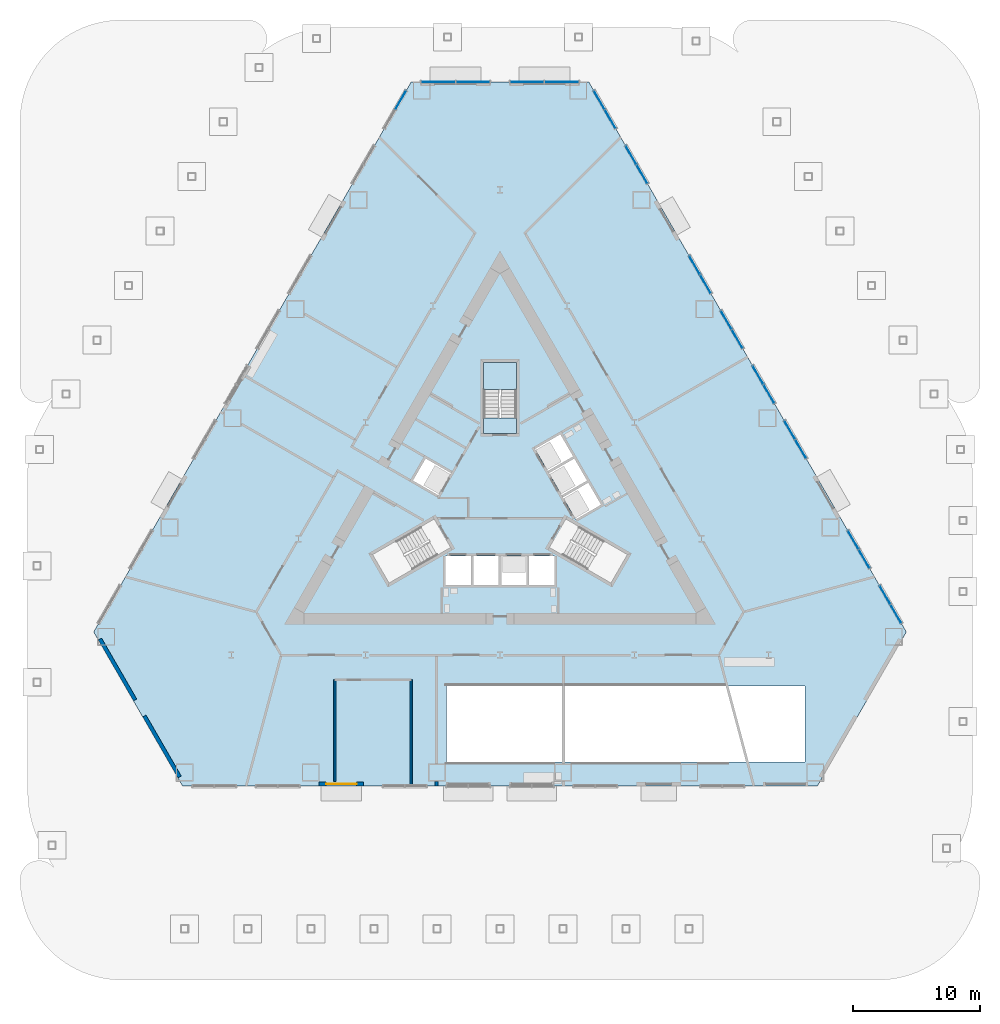
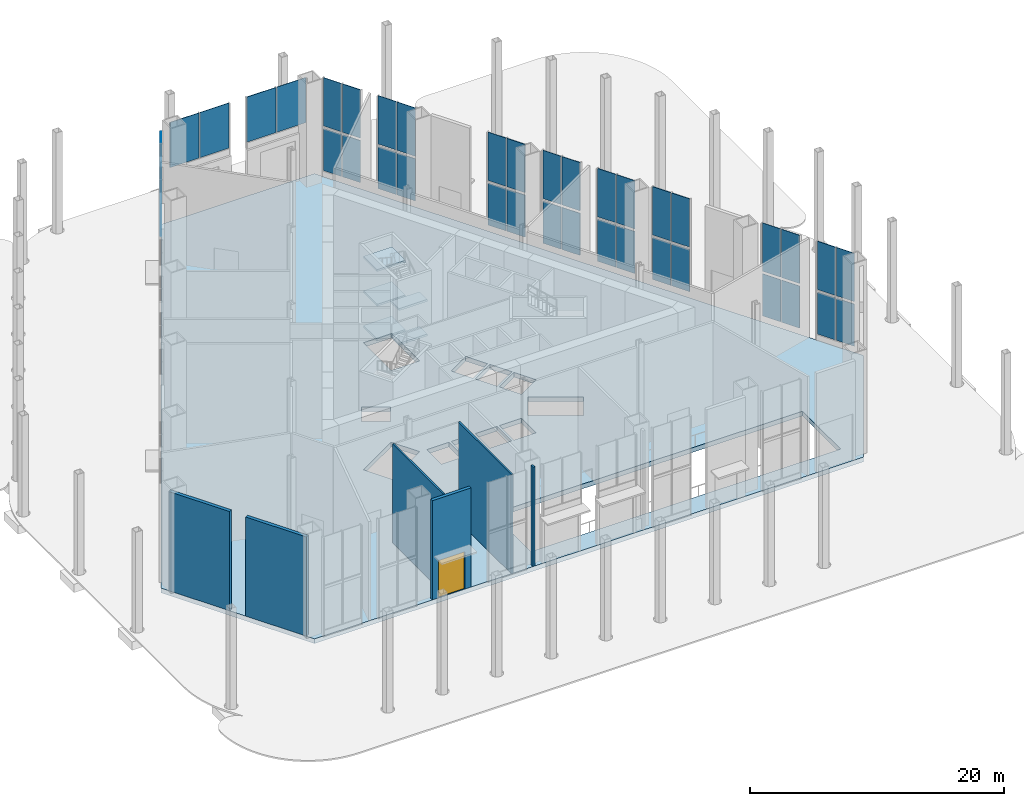
# One storey, part 9 of 18: 38 plates, 6 slabs, 6 walls, 1 door, 1 opening, 12 elements without a shape of their own.
"""IFC4 building model written with IfcOpenShell, lengths in metres."""

from ifc_helpers import new_model, si_unit, direction, frame, frame_2d, origin, origin_2d, place, context, subcontext, project, spatial, polyline, rectangle, outline, extrude, material, layer, layer_set, type_object, element, fill, aggregate, save


model = new_model("IFC4")

# Units and contexts
model_context = context("Model", 3, precision=1e-05, world=origin(), true_north=direction((0.0, 1.0)))
body_context = subcontext(model_context, "Body", "Model", "MODEL_VIEW")
ifc_project = project(units=[si_unit("LENGTHUNIT", "METRE"), si_unit("AREAUNIT", "SQUARE_METRE"), si_unit("VOLUMEUNIT", "CUBIC_METRE"), si_unit("PLANEANGLEUNIT", "RADIAN"), si_unit("MASSUNIT", "GRAM", prefix="KILO")], contexts=[model_context])

# Site, building, storey
site_placement = place(None, origin())
site = spatial("IfcSite", under=ifc_project, at=site_placement, CompositionType="ELEMENT")
building_placement = place(site_placement, origin())
building = spatial("IfcBuilding", under=site, at=building_placement, Name="Cormorant Prow Tower", CompositionType="ELEMENT")
storey_placement = place(building_placement, origin())
storey = spatial("IfcBuildingStorey", under=building, at=storey_placement, Name="L00", CompositionType="ELEMENT", Elevation=0.0)

# Curtain wall, plates
ifc_material_1 = material(Name="Aluminium 6063-T6", Category="aluminium")
ifc_layer_1 = layer(ifc_material_1, 0.300048828125)
ifc_layer_set_1 = layer_set([ifc_layer_1], Name="Aluminium 6063-T6")
curtain_wall_type = type_object("IfcCurtainWallType", Name="Concourse unitised curtain wall 300", PredefinedType="NOTDEFINED", material=ifc_layer_set_1)
curtain_wall_1_placement = place(storey_placement, origin())
curtain_wall_1 = element("IfcCurtainWall", 1, at=curtain_wall_1_placement, inside=storey, type_object=curtain_wall_type, Name="Concourse curtain wall ENE00", PredefinedType="NOTDEFINED")
ifc_material_2 = material(Name="Clear glass", Category="glass")
ifc_layer_2 = layer(ifc_material_2, 0.048095703125)
ifc_layer_set_2 = layer_set([ifc_layer_2], Name="Clear glass")
plate_type = type_object("IfcPlateType", Name="Concourse glass panel 48", PredefinedType="CURTAIN_PANEL", material=ifc_layer_set_2)
plate_1_placement = place(storey_placement, frame((31.1826171875, -8.976318359375, 0.60009765625), z_axis=(0.0, 0.0, 1.0), x_axis=(-0.500000001632, 0.866025402842, 0.0)))
plate_1 = element("IfcPlate", 2, at=plate_1_placement, type_object=plate_type, Name="Concourse glass panel ENE00", PredefinedType="CURTAIN_PANEL", context=body_context, shape_type="SweptSolid", body=[
    extrude(rectangle(XDim=1.64990234375, YDim=0.048095703125, at=origin_2d()), origin(), (0.0, 0.0, 1.0), 4.054931640625),
])
plate_2_placement = place(storey_placement, frame((30.3173828125, -7.47802734375, 0.60009765625), z_axis=(0.0, 0.0, 1.0), x_axis=(-0.500000001632, 0.866025402842, 0.0)))
plate_2 = element("IfcPlate", 3, at=plate_2_placement, type_object=plate_type, Name="Concourse glass panel ENE00", PredefinedType="CURTAIN_PANEL", context=body_context, shape_type="SweptSolid", body=[
    extrude(rectangle(XDim=1.64990234375, YDim=0.048095703125, at=origin_2d()), origin(), (0.0, 0.0, 1.0), 4.054931640625),
])
plate_3_placement = place(storey_placement, frame((31.1826171875, -8.976318359375, 4.89501953125), z_axis=(0.0, 0.0, 1.0), x_axis=(-0.500000001632, 0.866025402842, 0.0)))
plate_3 = element("IfcPlate", 4, at=plate_3_placement, type_object=plate_type, Name="Concourse glass panel ENE00", PredefinedType="CURTAIN_PANEL", context=body_context, shape_type="SweptSolid", body=[
    extrude(rectangle(XDim=1.64990234375, YDim=0.048095703125, at=origin_2d()), origin(), (0.0, 0.0, 1.0), 4.655029296875),
])
plate_4_placement = place(storey_placement, frame((30.3173828125, -7.47802734375, 4.89501953125), z_axis=(0.0, 0.0, 1.0), x_axis=(-0.500000001632, 0.866025402842, 0.0)))
plate_4 = element("IfcPlate", 5, at=plate_4_placement, type_object=plate_type, Name="Concourse glass panel ENE00", PredefinedType="CURTAIN_PANEL", context=body_context, shape_type="SweptSolid", body=[
    extrude(rectangle(XDim=1.64990234375, YDim=0.048095703125, at=origin_2d()), origin(), (0.0, 0.0, 1.0), 4.655029296875),
])
aggregate(curtain_wall_1, [plate_1, plate_2, plate_3, plate_4])

curtain_wall_2_placement = place(storey_placement, origin())
curtain_wall_2 = element("IfcCurtainWall", 6, at=curtain_wall_2_placement, inside=storey, type_object=curtain_wall_type, Name="Concourse curtain wall ENE01", PredefinedType="NOTDEFINED")
plate_5_placement = place(storey_placement, frame((28.6826171875, -4.646240234375, 0.60009765625), z_axis=(0.0, 0.0, 1.0), x_axis=(-0.500000001632, 0.866025402842, 0.0)))
plate_5 = element("IfcPlate", 7, at=plate_5_placement, type_object=plate_type, Name="Concourse glass panel ENE01", PredefinedType="CURTAIN_PANEL", context=body_context, shape_type="SweptSolid", body=[
    extrude(rectangle(XDim=1.64990234375, YDim=0.048095703125, at=origin_2d()), origin(), (0.0, 0.0, 1.0), 4.054931640625),
])
plate_6_placement = place(storey_placement, frame((27.8173828125, -3.14794921875, 0.60009765625), z_axis=(0.0, 0.0, 1.0), x_axis=(-0.500000001632, 0.866025402842, 0.0)))
plate_6 = element("IfcPlate", 8, at=plate_6_placement, type_object=plate_type, Name="Concourse glass panel ENE01", PredefinedType="CURTAIN_PANEL", context=body_context, shape_type="SweptSolid", body=[
    extrude(rectangle(XDim=1.64990234375, YDim=0.048095703125, at=origin_2d()), origin(), (0.0, 0.0, 1.0), 4.054931640625),
])
plate_7_placement = place(storey_placement, frame((28.6826171875, -4.646240234375, 4.89501953125), z_axis=(0.0, 0.0, 1.0), x_axis=(-0.500000001632, 0.866025402842, 0.0)))
plate_7 = element("IfcPlate", 9, at=plate_7_placement, type_object=plate_type, Name="Concourse glass panel ENE01", PredefinedType="CURTAIN_PANEL", context=body_context, shape_type="SweptSolid", body=[
    extrude(rectangle(XDim=1.64990234375, YDim=0.048095703125, at=origin_2d()), origin(), (0.0, 0.0, 1.0), 4.655029296875),
])
plate_8_placement = place(storey_placement, frame((27.8173828125, -3.14794921875, 4.89501953125), z_axis=(0.0, 0.0, 1.0), x_axis=(-0.500000001632, 0.866025402842, 0.0)))
plate_8 = element("IfcPlate", 10, at=plate_8_placement, type_object=plate_type, Name="Concourse glass panel ENE01", PredefinedType="CURTAIN_PANEL", context=body_context, shape_type="SweptSolid", body=[
    extrude(rectangle(XDim=1.64990234375, YDim=0.048095703125, at=origin_2d()), origin(), (0.0, 0.0, 1.0), 4.655029296875),
])
aggregate(curtain_wall_2, [plate_5, plate_6, plate_7, plate_8])

curtain_wall_3_placement = place(storey_placement, origin())
curtain_wall_3 = element("IfcCurtainWall", 11, at=curtain_wall_3_placement, inside=storey, type_object=curtain_wall_type, Name="Concourse curtain wall ENE03", PredefinedType="NOTDEFINED")
plate_9_placement = place(storey_placement, frame((23.6826171875, 4.013916015625, 0.60009765625), z_axis=(0.0, 0.0, 1.0), x_axis=(-0.500000001632, 0.866025402842, 0.0)))
plate_9 = element("IfcPlate", 12, at=plate_9_placement, type_object=plate_type, Name="Concourse glass panel ENE03", PredefinedType="CURTAIN_PANEL", context=body_context, shape_type="SweptSolid", body=[
    extrude(rectangle(XDim=1.64990234375, YDim=0.048095703125, at=origin_2d()), origin(), (0.0, 0.0, 1.0), 4.054931640625),
])
plate_10_placement = place(storey_placement, frame((22.8173828125, 5.51220703125, 0.60009765625), z_axis=(0.0, 0.0, 1.0), x_axis=(-0.500000001632, 0.866025402842, 0.0)))
plate_10 = element("IfcPlate", 13, at=plate_10_placement, type_object=plate_type, Name="Concourse glass panel ENE03", PredefinedType="CURTAIN_PANEL", context=body_context, shape_type="SweptSolid", body=[
    extrude(rectangle(XDim=1.64990234375, YDim=0.048095703125, at=origin_2d()), origin(), (0.0, 0.0, 1.0), 4.054931640625),
])
plate_11_placement = place(storey_placement, frame((23.6826171875, 4.013916015625, 4.89501953125), z_axis=(0.0, 0.0, 1.0), x_axis=(-0.500000001632, 0.866025402842, 0.0)))
plate_11 = element("IfcPlate", 14, at=plate_11_placement, type_object=plate_type, Name="Concourse glass panel ENE03", PredefinedType="CURTAIN_PANEL", context=body_context, shape_type="SweptSolid", body=[
    extrude(rectangle(XDim=1.64990234375, YDim=0.048095703125, at=origin_2d()), origin(), (0.0, 0.0, 1.0), 4.655029296875),
])
plate_12_placement = place(storey_placement, frame((22.8173828125, 5.51220703125, 4.89501953125), z_axis=(0.0, 0.0, 1.0), x_axis=(-0.500000001632, 0.866025402842, 0.0)))
plate_12 = element("IfcPlate", 15, at=plate_12_placement, type_object=plate_type, Name="Concourse glass panel ENE03", PredefinedType="CURTAIN_PANEL", context=body_context, shape_type="SweptSolid", body=[
    extrude(rectangle(XDim=1.64990234375, YDim=0.048095703125, at=origin_2d()), origin(), (0.0, 0.0, 1.0), 4.655029296875),
])
aggregate(curtain_wall_3, [plate_9, plate_10, plate_11, plate_12])

curtain_wall_4_placement = place(storey_placement, origin())
curtain_wall_4 = element("IfcCurtainWall", 16, at=curtain_wall_4_placement, inside=storey, type_object=curtain_wall_type, Name="Concourse curtain wall ENE04", PredefinedType="NOTDEFINED")
plate_13_placement = place(storey_placement, frame((21.1826171875, 8.34423828125, 0.60009765625), z_axis=(0.0, 0.0, 1.0), x_axis=(-0.500000001632, 0.866025402842, 0.0)))
plate_13 = element("IfcPlate", 17, at=plate_13_placement, type_object=plate_type, Name="Concourse glass panel ENE04", PredefinedType="CURTAIN_PANEL", context=body_context, shape_type="SweptSolid", body=[
    extrude(rectangle(XDim=1.64990234375, YDim=0.048095703125, at=origin_2d()), origin(), (0.0, 0.0, 1.0), 4.054931640625),
])
plate_14_placement = place(storey_placement, frame((20.3173828125, 9.84228515625, 0.60009765625), z_axis=(0.0, 0.0, 1.0), x_axis=(-0.500000001632, 0.866025402842, 0.0)))
plate_14 = element("IfcPlate", 18, at=plate_14_placement, type_object=plate_type, Name="Concourse glass panel ENE04", PredefinedType="CURTAIN_PANEL", context=body_context, shape_type="SweptSolid", body=[
    extrude(rectangle(XDim=1.64990234375, YDim=0.048095703125, at=origin_2d()), origin(), (0.0, 0.0, 1.0), 4.054931640625),
])
plate_15_placement = place(storey_placement, frame((21.1826171875, 8.34423828125, 4.89501953125), z_axis=(0.0, 0.0, 1.0), x_axis=(-0.500000001632, 0.866025402842, 0.0)))
plate_15 = element("IfcPlate", 19, at=plate_15_placement, type_object=plate_type, Name="Concourse glass panel ENE04", PredefinedType="CURTAIN_PANEL", context=body_context, shape_type="SweptSolid", body=[
    extrude(rectangle(XDim=1.64990234375, YDim=0.048095703125, at=origin_2d()), origin(), (0.0, 0.0, 1.0), 4.655029296875),
])
plate_16_placement = place(storey_placement, frame((20.3173828125, 9.84228515625, 4.89501953125), z_axis=(0.0, 0.0, 1.0), x_axis=(-0.500000001632, 0.866025402842, 0.0)))
plate_16 = element("IfcPlate", 20, at=plate_16_placement, type_object=plate_type, Name="Concourse glass panel ENE04", PredefinedType="CURTAIN_PANEL", context=body_context, shape_type="SweptSolid", body=[
    extrude(rectangle(XDim=1.64990234375, YDim=0.048095703125, at=origin_2d()), origin(), (0.0, 0.0, 1.0), 4.655029296875),
])
aggregate(curtain_wall_4, [plate_13, plate_14, plate_15, plate_16])

curtain_wall_5_placement = place(storey_placement, origin())
curtain_wall_5 = element("IfcCurtainWall", 21, at=curtain_wall_5_placement, inside=storey, type_object=curtain_wall_type, Name="Concourse curtain wall ENE05", PredefinedType="NOTDEFINED")
plate_17_placement = place(storey_placement, frame((18.6826171875, 12.67431640625, 0.60009765625), z_axis=(0.0, 0.0, 1.0), x_axis=(-0.500000001632, 0.866025402842, 0.0)))
plate_17 = element("IfcPlate", 22, at=plate_17_placement, type_object=plate_type, Name="Concourse glass panel ENE05", PredefinedType="CURTAIN_PANEL", context=body_context, shape_type="SweptSolid", body=[
    extrude(rectangle(XDim=1.64990234375, YDim=0.048095703125, at=origin_2d()), origin(), (0.0, 0.0, 1.0), 4.054931640625),
])
plate_18_placement = place(storey_placement, frame((17.8173828125, 14.172607421875, 0.60009765625), z_axis=(0.0, 0.0, 1.0), x_axis=(-0.500000001632, 0.866025402842, 0.0)))
plate_18 = element("IfcPlate", 23, at=plate_18_placement, type_object=plate_type, Name="Concourse glass panel ENE05", PredefinedType="CURTAIN_PANEL", context=body_context, shape_type="SweptSolid", body=[
    extrude(rectangle(XDim=1.64990234375, YDim=0.048095703125, at=origin_2d()), origin(), (0.0, 0.0, 1.0), 4.054931640625),
])
plate_19_placement = place(storey_placement, frame((18.6826171875, 12.67431640625, 4.89501953125), z_axis=(0.0, 0.0, 1.0), x_axis=(-0.500000001632, 0.866025402842, 0.0)))
plate_19 = element("IfcPlate", 24, at=plate_19_placement, type_object=plate_type, Name="Concourse glass panel ENE05", PredefinedType="CURTAIN_PANEL", context=body_context, shape_type="SweptSolid", body=[
    extrude(rectangle(XDim=1.64990234375, YDim=0.048095703125, at=origin_2d()), origin(), (0.0, 0.0, 1.0), 4.655029296875),
])
plate_20_placement = place(storey_placement, frame((17.8173828125, 14.172607421875, 4.89501953125), z_axis=(0.0, 0.0, 1.0), x_axis=(-0.500000001632, 0.866025402842, 0.0)))
plate_20 = element("IfcPlate", 25, at=plate_20_placement, type_object=plate_type, Name="Concourse glass panel ENE05", PredefinedType="CURTAIN_PANEL", context=body_context, shape_type="SweptSolid", body=[
    extrude(rectangle(XDim=1.64990234375, YDim=0.048095703125, at=origin_2d()), origin(), (0.0, 0.0, 1.0), 4.655029296875),
])
aggregate(curtain_wall_5, [plate_17, plate_18, plate_19, plate_20])

curtain_wall_6_placement = place(storey_placement, origin())
curtain_wall_6 = element("IfcCurtainWall", 26, at=curtain_wall_6_placement, inside=storey, type_object=curtain_wall_type, Name="Concourse curtain wall ENE06", PredefinedType="NOTDEFINED")
plate_21_placement = place(storey_placement, frame((16.1826171875, 17.00439453125, 0.60009765625), z_axis=(0.0, 0.0, 1.0), x_axis=(-0.500000001632, 0.866025402842, 0.0)))
plate_21 = element("IfcPlate", 27, at=plate_21_placement, type_object=plate_type, Name="Concourse glass panel ENE06", PredefinedType="CURTAIN_PANEL", context=body_context, shape_type="SweptSolid", body=[
    extrude(rectangle(XDim=1.64990234375, YDim=0.048095703125, at=origin_2d()), origin(), (0.0, 0.0, 1.0), 4.054931640625),
])
plate_22_placement = place(storey_placement, frame((15.3173828125, 18.502685546875, 0.60009765625), z_axis=(0.0, 0.0, 1.0), x_axis=(-0.500000001632, 0.866025402842, 0.0)))
plate_22 = element("IfcPlate", 28, at=plate_22_placement, type_object=plate_type, Name="Concourse glass panel ENE06", PredefinedType="CURTAIN_PANEL", context=body_context, shape_type="SweptSolid", body=[
    extrude(rectangle(XDim=1.64990234375, YDim=0.048095703125, at=origin_2d()), origin(), (0.0, 0.0, 1.0), 4.054931640625),
])
plate_23_placement = place(storey_placement, frame((16.1826171875, 17.00439453125, 4.89501953125), z_axis=(0.0, 0.0, 1.0), x_axis=(-0.500000001632, 0.866025402842, 0.0)))
plate_23 = element("IfcPlate", 29, at=plate_23_placement, type_object=plate_type, Name="Concourse glass panel ENE06", PredefinedType="CURTAIN_PANEL", context=body_context, shape_type="SweptSolid", body=[
    extrude(rectangle(XDim=1.64990234375, YDim=0.048095703125, at=origin_2d()), origin(), (0.0, 0.0, 1.0), 4.655029296875),
])
plate_24_placement = place(storey_placement, frame((15.3173828125, 18.502685546875, 4.89501953125), z_axis=(0.0, 0.0, 1.0), x_axis=(-0.500000001632, 0.866025402842, 0.0)))
plate_24 = element("IfcPlate", 30, at=plate_24_placement, type_object=plate_type, Name="Concourse glass panel ENE06", PredefinedType="CURTAIN_PANEL", context=body_context, shape_type="SweptSolid", body=[
    extrude(rectangle(XDim=1.64990234375, YDim=0.048095703125, at=origin_2d()), origin(), (0.0, 0.0, 1.0), 4.655029296875),
])
aggregate(curtain_wall_6, [plate_21, plate_22, plate_23, plate_24])

curtain_wall_7_placement = place(storey_placement, origin())
curtain_wall_7 = element("IfcCurtainWall", 31, at=curtain_wall_7_placement, inside=storey, type_object=curtain_wall_type, Name="Concourse curtain wall ENE08", PredefinedType="NOTDEFINED")
plate_25_placement = place(storey_placement, frame((11.1826171875, 25.66455078125, 0.60009765625), z_axis=(0.0, 0.0, 1.0), x_axis=(-0.500000001632, 0.866025402842, 0.0)))
plate_25 = element("IfcPlate", 32, at=plate_25_placement, type_object=plate_type, Name="Concourse glass panel ENE08", PredefinedType="CURTAIN_PANEL", context=body_context, shape_type="SweptSolid", body=[
    extrude(rectangle(XDim=1.64990234375, YDim=0.048095703125, at=origin_2d()), origin(), (0.0, 0.0, 1.0), 4.054931640625),
])
plate_26_placement = place(storey_placement, frame((10.3173828125, 27.162841796875, 0.60009765625), z_axis=(0.0, 0.0, 1.0), x_axis=(-0.500000001632, 0.866025402842, 0.0)))
plate_26 = element("IfcPlate", 33, at=plate_26_placement, type_object=plate_type, Name="Concourse glass panel ENE08", PredefinedType="CURTAIN_PANEL", context=body_context, shape_type="SweptSolid", body=[
    extrude(rectangle(XDim=1.64990234375, YDim=0.048095703125, at=origin_2d()), origin(), (0.0, 0.0, 1.0), 4.054931640625),
])
plate_27_placement = place(storey_placement, frame((11.1826171875, 25.66455078125, 4.89501953125), z_axis=(0.0, 0.0, 1.0), x_axis=(-0.500000001632, 0.866025402842, 0.0)))
plate_27 = element("IfcPlate", 34, at=plate_27_placement, type_object=plate_type, Name="Concourse glass panel ENE08", PredefinedType="CURTAIN_PANEL", context=body_context, shape_type="SweptSolid", body=[
    extrude(rectangle(XDim=1.64990234375, YDim=0.048095703125, at=origin_2d()), origin(), (0.0, 0.0, 1.0), 4.655029296875),
])
plate_28_placement = place(storey_placement, frame((10.3173828125, 27.162841796875, 4.89501953125), z_axis=(0.0, 0.0, 1.0), x_axis=(-0.500000001632, 0.866025402842, 0.0)))
plate_28 = element("IfcPlate", 35, at=plate_28_placement, type_object=plate_type, Name="Concourse glass panel ENE08", PredefinedType="CURTAIN_PANEL", context=body_context, shape_type="SweptSolid", body=[
    extrude(rectangle(XDim=1.64990234375, YDim=0.048095703125, at=origin_2d()), origin(), (0.0, 0.0, 1.0), 4.655029296875),
])
aggregate(curtain_wall_7, [plate_25, plate_26, plate_27, plate_28])

curtain_wall_8_placement = place(storey_placement, origin())
curtain_wall_8 = element("IfcCurtainWall", 36, at=curtain_wall_8_placement, inside=storey, type_object=curtain_wall_type, Name="Concourse curtain wall ENE09", PredefinedType="NOTDEFINED")
plate_29_placement = place(storey_placement, frame((8.6826171875, 29.994873046875, 0.60009765625), z_axis=(0.0, 0.0, 1.0), x_axis=(-0.500000001632, 0.866025402842, 0.0)))
plate_29 = element("IfcPlate", 37, at=plate_29_placement, type_object=plate_type, Name="Concourse glass panel ENE09", PredefinedType="CURTAIN_PANEL", context=body_context, shape_type="SweptSolid", body=[
    extrude(rectangle(XDim=1.64990234375, YDim=0.048095703125, at=origin_2d()), origin(), (0.0, 0.0, 1.0), 4.054931640625),
])
plate_30_placement = place(storey_placement, frame((7.8173828125, 31.492919921875, 0.60009765625), z_axis=(0.0, 0.0, 1.0), x_axis=(-0.500000001632, 0.866025402842, 0.0)))
plate_30 = element("IfcPlate", 38, at=plate_30_placement, type_object=plate_type, Name="Concourse glass panel ENE09", PredefinedType="CURTAIN_PANEL", context=body_context, shape_type="SweptSolid", body=[
    extrude(rectangle(XDim=1.64990234375, YDim=0.048095703125, at=origin_2d()), origin(), (0.0, 0.0, 1.0), 4.054931640625),
])
plate_31_placement = place(storey_placement, frame((8.6826171875, 29.994873046875, 4.89501953125), z_axis=(0.0, 0.0, 1.0), x_axis=(-0.500000001632, 0.866025402842, 0.0)))
plate_31 = element("IfcPlate", 39, at=plate_31_placement, type_object=plate_type, Name="Concourse glass panel ENE09", PredefinedType="CURTAIN_PANEL", context=body_context, shape_type="SweptSolid", body=[
    extrude(rectangle(XDim=1.64990234375, YDim=0.048095703125, at=origin_2d()), origin(), (0.0, 0.0, 1.0), 4.655029296875),
])
plate_32_placement = place(storey_placement, frame((7.8173828125, 31.492919921875, 4.89501953125), z_axis=(0.0, 0.0, 1.0), x_axis=(-0.500000001632, 0.866025402842, 0.0)))
plate_32 = element("IfcPlate", 40, at=plate_32_placement, type_object=plate_type, Name="Concourse glass panel ENE09", PredefinedType="CURTAIN_PANEL", context=body_context, shape_type="SweptSolid", body=[
    extrude(rectangle(XDim=1.64990234375, YDim=0.048095703125, at=origin_2d()), origin(), (0.0, 0.0, 1.0), 4.655029296875),
])
aggregate(curtain_wall_8, [plate_29, plate_30, plate_31, plate_32])

curtain_wall_9_placement = place(storey_placement, origin())
curtain_wall_9 = element("IfcCurtainWall", 41, at=curtain_wall_9_placement, inside=storey, type_object=curtain_wall_type, Name="Concourse curtain wall N00", PredefinedType="NOTDEFINED")
plate_33_placement = place(storey_placement, frame((4.864990234375, 32.908935546875, 5.199951171875), z_axis=(0.0, 0.0, 1.0), x_axis=(-1.0, 0.0, 0.0)))
plate_33 = element("IfcPlate", 42, at=plate_33_placement, type_object=plate_type, Name="Concourse glass panel N00", PredefinedType="CURTAIN_PANEL", context=body_context, shape_type="SweptSolid", body=[
    extrude(rectangle(XDim=2.64990234375, YDim=0.048095703125, at=origin_2d()), origin(), (0.0, 0.0, 1.0), 4.35009765625),
])
plate_34_placement = place(storey_placement, frame((2.135009765625, 32.908935546875, 5.199951171875), z_axis=(0.0, 0.0, 1.0), x_axis=(-1.0, 0.0, 0.0)))
plate_34 = element("IfcPlate", 43, at=plate_34_placement, type_object=plate_type, Name="Concourse glass panel N00", PredefinedType="CURTAIN_PANEL", context=body_context, shape_type="SweptSolid", body=[
    extrude(rectangle(XDim=2.64990234375, YDim=0.048095703125, at=origin_2d()), origin(), (0.0, 0.0, 1.0), 4.35009765625),
])
aggregate(curtain_wall_9, [plate_33, plate_34])

curtain_wall_10_placement = place(storey_placement, origin())
curtain_wall_10 = element("IfcCurtainWall", 44, at=curtain_wall_10_placement, inside=storey, type_object=curtain_wall_type, Name="Concourse curtain wall N01", PredefinedType="NOTDEFINED")
plate_35_placement = place(storey_placement, frame((-2.135009765625, 32.908935546875, 5.199951171875), z_axis=(0.0, 0.0, 1.0), x_axis=(-1.0, 0.0, 0.0)))
plate_35 = element("IfcPlate", 45, at=plate_35_placement, type_object=plate_type, Name="Concourse glass panel N01", PredefinedType="CURTAIN_PANEL", context=body_context, shape_type="SweptSolid", body=[
    extrude(rectangle(XDim=2.64990234375, YDim=0.048095703125, at=origin_2d()), origin(), (0.0, 0.0, 1.0), 4.35009765625),
])
plate_36_placement = place(storey_placement, frame((-4.864990234375, 32.908935546875, 5.199951171875), z_axis=(0.0, 0.0, 1.0), x_axis=(-1.0, 0.0, 0.0)))
plate_36 = element("IfcPlate", 46, at=plate_36_placement, type_object=plate_type, Name="Concourse glass panel N01", PredefinedType="CURTAIN_PANEL", context=body_context, shape_type="SweptSolid", body=[
    extrude(rectangle(XDim=2.64990234375, YDim=0.048095703125, at=origin_2d()), origin(), (0.0, 0.0, 1.0), 4.35009765625),
])
aggregate(curtain_wall_10, [plate_35, plate_36])

curtain_wall_11_placement = place(storey_placement, origin())
curtain_wall_11 = element("IfcCurtainWall", 47, at=curtain_wall_11_placement, inside=storey, type_object=curtain_wall_type, Name="Concourse curtain wall WNW00", PredefinedType="NOTDEFINED")
plate_37_placement = place(storey_placement, frame((-7.8173828125, 31.492919921875, 0.60009765625), z_axis=(0.0, 0.0, 1.0), x_axis=(-0.500000001632, -0.866025402842, 0.0)))
plate_37 = element("IfcPlate", 48, at=plate_37_placement, type_object=plate_type, Name="Concourse glass panel WNW00", PredefinedType="CURTAIN_PANEL", context=body_context, shape_type="SweptSolid", body=[
    extrude(rectangle(XDim=1.64990234375, YDim=0.048095703125, at=origin_2d()), origin(), (0.0, 0.0, 1.0), 4.054931640625),
])
plate_38_placement = place(storey_placement, frame((-7.8173828125, 31.492919921875, 4.89501953125), z_axis=(0.0, 0.0, 1.0), x_axis=(-0.500000001632, -0.866025402842, 0.0)))
plate_38 = element("IfcPlate", 49, at=plate_38_placement, type_object=plate_type, Name="Concourse glass panel WNW00", PredefinedType="CURTAIN_PANEL", context=body_context, shape_type="SweptSolid", body=[
    extrude(rectangle(XDim=1.64990234375, YDim=0.048095703125, at=origin_2d()), origin(), (0.0, 0.0, 1.0), 4.655029296875),
])
aggregate(curtain_wall_11, [plate_37, plate_38])

# Slab
ifc_material_3 = material(Name="Concrete C40/50", Category="concrete")
ifc_layer_3 = layer(ifc_material_3, 0.449951171875)
ifc_layer_set_3 = layer_set([ifc_layer_3], Name="Concrete C40/50")
slab_type_1 = type_object("IfcSlabType", Name="Post-tensioned flat slab 450", PredefinedType="FLOOR", material=ifc_layer_set_3)
slab_1_placement = place(storey_placement, frame((0.0, 0.0, -0.449951171875)))
element("IfcSlab", 50, at=slab_1_placement, inside=storey, type_object=slab_type_1, Name="Floor slab L00", PredefinedType="FLOOR", context=body_context, shape_type="SweptSolid", body=[
    extrude(outline(polyline([(-7.0, 32.908935546875), (-9.5, 28.578857421875), (-12.0, 24.248779296875), (-14.5, 19.918701171875), (-17.0, 15.58837890625), (-19.5, 11.25830078125), (-22.0, 6.92822265625), (-24.5, 2.59814453125), (-27.0, -1.73193359375), (-29.5, -6.062255859375), (-32.0, -10.392333984375), (-28.5, -16.45458984375), (-25.0, -22.5166015625), (-20.0, -22.5166015625), (-15.0, -22.5166015625), (-10.0, -22.5166015625), (-5.0, -22.5166015625), (0.0, -22.5166015625), (5.0, -22.5166015625), (10.0, -22.5166015625), (15.0, -22.5166015625), (20.0, -22.5166015625), (25.0, -22.5166015625), (28.5, -16.45458984375), (32.0, -10.392333984375), (29.5, -6.062255859375), (27.0, -1.73193359375), (24.5, 2.59814453125), (22.0, 6.92822265625), (19.5, 11.25830078125), (17.0, 15.58837890625), (14.5, 19.918701171875), (12.0, 24.248779296875), (9.5, 28.578857421875), (7.0, 32.908935546875), (0.0, 32.908935546875), (-7.0, 32.908935546875)]), holes=[polyline([(-2.300048828125, -6.699951171875), (-4.300048828125, -6.699951171875), (-4.300048828125, -4.39990234375), (-2.300048828125, -4.39990234375), (-2.300048828125, -6.699951171875)]), polyline([(-2.10009765625, -6.699951171875), (-2.10009765625, -4.39990234375), (-0.10009765625, -4.39990234375), (-0.10009765625, -6.699951171875), (-2.10009765625, -6.699951171875)]), polyline([(0.10009765625, -4.39990234375), (2.10009765625, -4.39990234375), (2.10009765625, -6.699951171875), (0.10009765625, -6.699951171875), (0.10009765625, -4.39990234375)]), polyline([(4.300048828125, -4.39990234375), (4.300048828125, -6.699951171875), (2.300048828125, -6.699951171875), (2.300048828125, -4.39990234375), (4.300048828125, -4.39990234375)]), polyline([(6.952392578125, 1.358154296875), (7.952392578125, -0.373779296875), (5.96044921875, -1.52392578125), (4.96044921875, 0.2080078125), (6.952392578125, 1.358154296875)]), polyline([(6.852294921875, 1.53125), (4.860595703125, 0.38134765625), (3.860595703125, 2.11328125), (5.852294921875, 3.263427734375), (6.852294921875, 1.53125)]), polyline([(3.760498046875, 2.28662109375), (2.760498046875, 4.018798828125), (4.75244140625, 5.168701171875), (5.75244140625, 3.4365234375), (3.760498046875, 2.28662109375)]), polyline([(-4.860595703125, 0.38134765625), (-6.852294921875, 1.53125), (-5.852294921875, 3.263427734375), (-3.860595703125, 2.11328125), (-4.860595703125, 0.38134765625)]), polyline([(-6.241455078125, -2.109375), (-4.947509765625, -4.3505859375), (-8.738037109375, -6.5390625), (-10.031982421875, -4.2978515625), (-6.241455078125, -2.109375)]), polyline([(6.241455078125, -2.109375), (10.031982421875, -4.2978515625), (8.738037109375, -6.5390625), (4.947509765625, -4.3505859375), (6.241455078125, -2.109375)]), polyline([(-1.2939453125, 10.8369140625), (1.2939453125, 10.8369140625), (1.2939453125, 6.459716796875), (-1.2939453125, 6.459716796875), (-1.2939453125, 10.8369140625)]), polyline([(24.0, -14.64990234375), (24.0, -20.64990234375), (-4.199951171875, -20.64990234375), (-4.199951171875, -14.64990234375), (24.0, -14.64990234375)])]), origin(), (0.0, 0.0, 1.0), 0.449951171875),
])

# Stair, slabs
ifc_material_4 = material(Name="Exit stair 54 risers")
stair_type = type_object("IfcStairType", Name="Exit stair 54 risers", PredefinedType="HALF_TURN_STAIR", material=ifc_material_4)
stair_placement = place(storey_placement, origin())
stair = element("IfcStair", 51, at=stair_placement, inside=storey, type_object=stair_type, Name="L00 Exit stair ST3", PredefinedType="HALF_TURN_STAIR")
ifc_material_5 = material(Name="Concrete 5000 psi", Category="concrete")
ifc_layer_4 = layer(ifc_material_5, 0.199951171875)
ifc_layer_set_4 = layer_set([ifc_layer_4], Name="Concrete 5000 psi")
slab_type_2 = type_object("IfcSlabType", Name="Stair landing 200", PredefinedType="LANDING", material=ifc_layer_set_4)
slab_2_placement = place(storey_placement, frame((0.0, 0.0, 1.466552734375)))
slab_2 = element("IfcSlab", 52, at=slab_2_placement, type_object=slab_type_2, Name="ST3 landing 1", PredefinedType="LANDING", context=body_context, shape_type="SweptSolid", body=[
    extrude(outline(polyline([(1.2939453125, 8.69189453125), (1.2939453125, 10.8369140625), (-1.2939453125, 10.8369140625), (-1.2939453125, 8.69189453125), (1.2939453125, 8.69189453125)])), origin(), (0.0, 0.0, 1.0), 0.2001953125),
])
slab_3_placement = place(storey_placement, frame((0.0, 0.0, 3.13330078125)))
slab_3 = element("IfcSlab", 53, at=slab_3_placement, type_object=slab_type_2, Name="ST3 landing 2", PredefinedType="LANDING", context=body_context, shape_type="SweptSolid", body=[
    extrude(outline(polyline([(1.2939453125, 5.23681640625), (1.2939453125, 6.459716796875), (-1.2939453125, 6.459716796875), (-1.2939453125, 5.23681640625), (1.2939453125, 5.23681640625)])), origin(), (0.0, 0.0, 1.0), 0.199951171875),
])
slab_4_placement = place(storey_placement, frame((0.0, 0.0, 4.800048828125)))
slab_4 = element("IfcSlab", 54, at=slab_4_placement, type_object=slab_type_2, Name="ST3 landing 3", PredefinedType="LANDING", context=body_context, shape_type="SweptSolid", body=[
    extrude(outline(polyline([(1.2939453125, 8.69189453125), (1.2939453125, 10.8369140625), (-1.2939453125, 10.8369140625), (-1.2939453125, 8.69189453125), (1.2939453125, 8.69189453125)])), origin(), (0.0, 0.0, 1.0), 0.199951171875),
])
slab_5_placement = place(storey_placement, frame((0.0, 0.0, 6.466552734375)))
slab_5 = element("IfcSlab", 55, at=slab_5_placement, type_object=slab_type_2, Name="ST3 landing 4", PredefinedType="LANDING", context=body_context, shape_type="SweptSolid", body=[
    extrude(outline(polyline([(1.2939453125, 5.23681640625), (1.2939453125, 6.459716796875), (-1.2939453125, 6.459716796875), (-1.2939453125, 5.23681640625), (1.2939453125, 5.23681640625)])), origin(), (0.0, 0.0, 1.0), 0.2001953125),
])
slab_6_placement = place(storey_placement, frame((0.0, 0.0, 8.13330078125)))
slab_6 = element("IfcSlab", 56, at=slab_6_placement, type_object=slab_type_2, Name="ST3 landing 5", PredefinedType="LANDING", context=body_context, shape_type="SweptSolid", body=[
    extrude(outline(polyline([(1.2939453125, 8.69189453125), (1.2939453125, 10.8369140625), (-1.2939453125, 10.8369140625), (-1.2939453125, 8.69189453125), (1.2939453125, 8.69189453125)])), origin(), (0.0, 0.0, 1.0), 0.199951171875),
])
aggregate(stair, [slab_2, slab_3, slab_4, slab_5, slab_6])

# Walls
ifc_material_6 = material(Name="Gypsum board partition")
ifc_layer_5 = layer(ifc_material_6, 0.14990234375)
ifc_layer_set_5 = layer_set([ifc_layer_5], Name="Gypsum board partition")
wall_type_1 = type_object("IfcWallType", Name="Core partition 150", PredefinedType="PARTITIONING", material=ifc_layer_set_5)
wall_1_placement = place(storey_placement, frame((-13.0, -22.166748046875, 0.0), z_axis=(0.0, 0.0, 1.0), x_axis=(0.0, 1.0, 0.0)))
element("IfcWall", 57, at=wall_1_placement, inside=storey, type_object=wall_type_1, Name="Loading dock west wall", PredefinedType="PARTITIONING", context=body_context, shape_type="SweptSolid", body=[
    extrude(rectangle(XDim=8.0, YDim=0.14990234375, at=frame_2d((4.0, 0.0))), origin(), (0.0, 0.0, 1.0), 9.550048828125),
])
wall_2_placement = place(storey_placement, frame((-7.0, -22.49267578125, 0.0), z_axis=(0.0, 0.0, 1.0), x_axis=(0.0, 1.0, 0.0)))
element("IfcWall", 58, at=wall_2_placement, inside=storey, type_object=wall_type_1, Name="Loading dock east wall", PredefinedType="PARTITIONING", context=body_context, shape_type="SweptSolid", body=[
    extrude(rectangle(XDim=8.325927734375, YDim=0.14990234375, at=frame_2d((4.1630859375, 0.0))), origin(), (0.0, 0.0, 1.0), 9.550048828125),
])
ifc_material_7 = material(Name="Gypsum board demising wall")
ifc_layer_6 = layer(ifc_material_7, 0.199951171875)
ifc_layer_set_6 = layer_set([ifc_layer_6], Name="Gypsum board demising wall")
wall_type_2 = type_object("IfcWallType", Name="Demising wall 200", PredefinedType="PARTITIONING", material=ifc_layer_set_6)
wall_3_placement = place(storey_placement, frame((-5.0, -22.5166015625, 0.0), z_axis=(0.0, 0.0, 1.0), x_axis=(0.0, 1.0, 0.0)))
element("IfcWall", 59, at=wall_3_placement, inside=storey, type_object=wall_type_2, Name="Demising wall", PredefinedType="PARTITIONING", context=body_context, shape_type="SweptSolid", body=[
    extrude(rectangle(XDim=0.3466796875, YDim=0.199951171875, at=frame_2d((0.17333984375, 0.0))), origin(), (0.0, 0.0, 1.0), 9.550048828125),
])

# Wall, opening, door
ifc_material_8 = material(Name="Terracotta", Category="masonry")
ifc_layer_7 = layer(ifc_material_8, 0.300048828125)
ifc_layer_set_7 = layer_set([ifc_layer_7], Name="Terracotta")
wall_type_3 = type_object("IfcWallType", Name="Terracotta portal wall 300", PredefinedType="SOLIDWALL", material=ifc_layer_set_7)
wall_4_placement = place(storey_placement, frame((-10.72998046875, -22.36669921875, 0.0), z_axis=(0.0, 0.0, 1.0), x_axis=(-1.0, 0.0, 0.0)))
wall_4 = element("IfcWall", 60, at=wall_4_placement, inside=storey, type_object=wall_type_3, Name="Terracotta entrance wall S02", PredefinedType="SOLIDWALL", context=body_context, shape_type="SweptSolid", body=[
    extrude(rectangle(XDim=3.5400390625, YDim=0.300048828125, at=frame_2d((1.77001953125, 0.0))), origin(), (0.0, 0.0, 1.0), 9.550048828125),
])
opening_placement = place(wall_4_placement, frame((0.570068359375, 0.0, 0.0)))
opening = element("IfcOpeningElement", 61, at=opening_placement, cuts=wall_4, Name="Opening ED00.01", PredefinedType="OPENING", context=body_context, shape_type="SweptSolid", body=[
    extrude(rectangle(XDim=2.39990234375, YDim=3.60009765625, at=frame_2d((1.199951171875, 1.800048828125))), frame((0.0, 0.159912109375, 0.0), z_axis=(0.0, -1.0, 0.0), x_axis=(1.0, 0.0, 0.0)), (0.0, 0.0, 1.0), 0.320068359375),
])
ifc_material_9 = material(Name="Aluminium 6063-T6", Category="aluminium")
door_type = type_object("IfcDoorType", Name="Entrance door 2400x3600", OperationType="DOUBLE_DOOR_SINGLE_SWING", PredefinedType="DOOR", material=ifc_material_9)
door_placement = place(opening_placement, origin())
door = element("IfcDoor", 62, at=door_placement, inside=storey, type_object=door_type, Name="Entrance door S02 ED00.01", OperationType="DOUBLE_DOOR_SINGLE_SWING", OverallHeight=3.60009765625, OverallWidth=2.39990234375, PredefinedType="DOOR", context=body_context, shape_type="SweptSolid", body=[
    extrude(rectangle(XDim=2.39990234375, YDim=3.60009765625, at=frame_2d((1.199951171875, 1.800048828125))), frame((0.0, 0.02490234375, 0.0), z_axis=(0.0, -1.0, 0.0), x_axis=(1.0, 0.0, 0.0)), (0.0, 0.0, 1.0), 0.050048828125),
])
fill(opening, door)

# Walls
for number, where, z_axis, x_axis, name in (
    (63, (-31.505126953125, -10.949462890625, 0.0), (0.0, 0.0, 1.0), (0.499997108352, -0.866027073272, 0.0), "Terracotta corner wall WSW00"),
    (64, (-28.005126953125, -17.01171875, 0.0), (0.0, 0.0, 1.0), (0.499997108352, -0.866027073272, 0.0), "Terracotta corner wall WSW01"),
):
    element("IfcWall", number, at=place(storey_placement, frame(where, z_axis=z_axis, x_axis=x_axis)), inside=storey, type_object=wall_type_3, Name=name, PredefinedType="SOLIDWALL", context=body_context, shape_type="SweptSolid", body=[
        extrude(rectangle(XDim=5.5400390625, YDim=0.300048828125, at=frame_2d((2.77001953125, 0.0))), origin(), (0.0, 0.0, 1.0), 9.550048828125),
    ])

save(model, "model.ifc")
